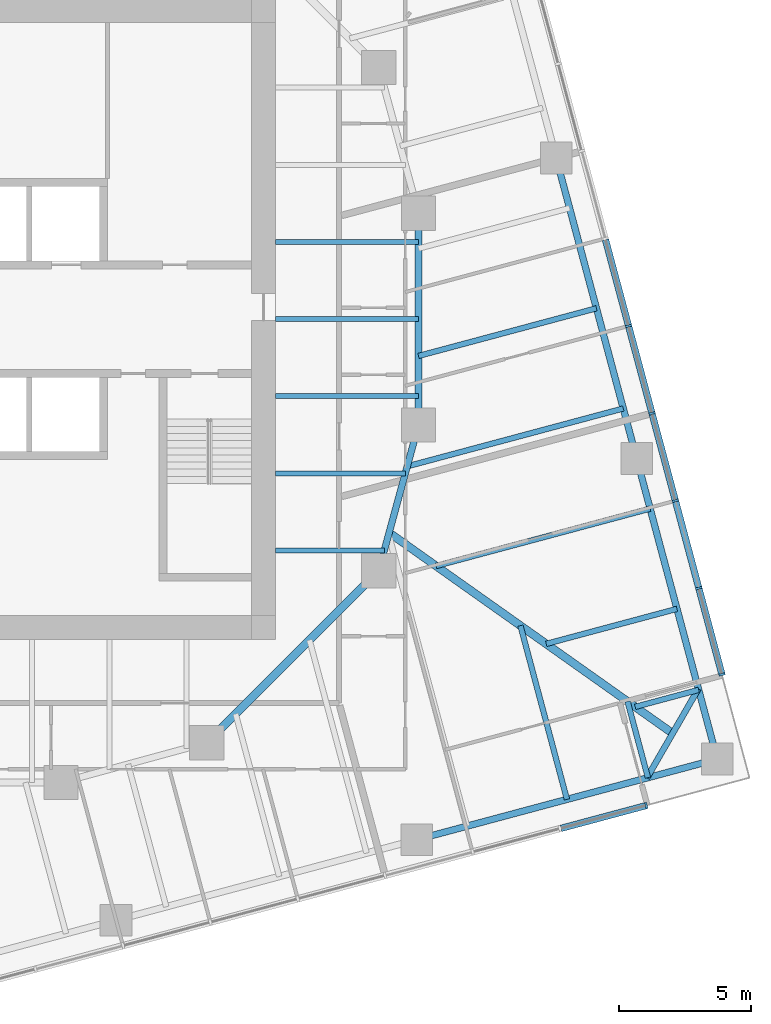
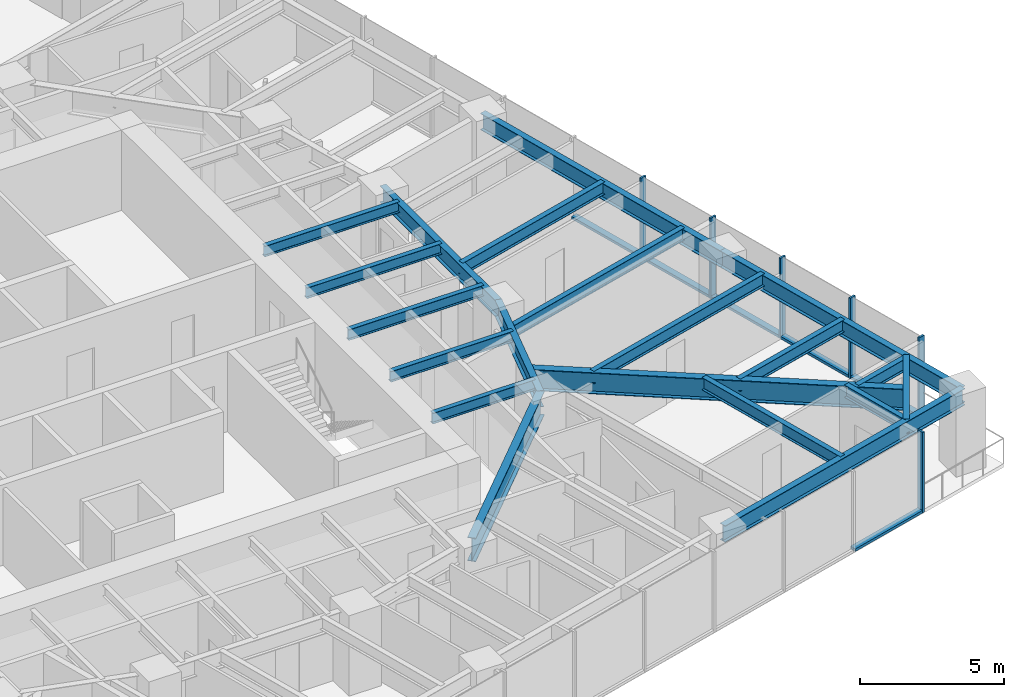
# One storey, part 4 of 13: 20 beams, 12 members, 2 elements without a shape of their own.
"""IFC4 building model written with IfcOpenShell, lengths in metres."""

from ifc_helpers import new_model, si_unit, direction, frame, origin, origin_2d, place, context, subcontext, project, spatial, rectangle, i_section, extrude, material, material_profile, profile_set, type_object, element, aggregate, save


model = new_model("IFC4")

# Units and contexts
model_context = context("Model", 3, precision=1e-05, world=origin(), true_north=direction((0.0, 1.0)))
body_context = subcontext(model_context, "Body", "Model", "MODEL_VIEW")
ifc_project = project(units=[si_unit("LENGTHUNIT", "METRE"), si_unit("AREAUNIT", "SQUARE_METRE"), si_unit("VOLUMEUNIT", "CUBIC_METRE"), si_unit("PLANEANGLEUNIT", "RADIAN"), si_unit("MASSUNIT", "GRAM", prefix="KILO")], contexts=[model_context])

# Site, building, storey
site_placement = place(None, origin())
site = spatial("IfcSite", under=ifc_project, at=site_placement, CompositionType="ELEMENT")
building_placement = place(site_placement, origin())
building = spatial("IfcBuilding", under=site, at=building_placement, Name="Torsade Residences", CompositionType="ELEMENT")
storey_placement = place(building_placement, frame((0.0, 0.0, 118.39990234375)))
storey = spatial("IfcBuildingStorey", under=building, at=storey_placement, Name="L32", CompositionType="ELEMENT", Elevation=118.39990234375)

# Beams
ifc_material_1 = material(Name="Steel grade 300", Category="steel")
ifc_material_profile_1 = material_profile(ifc_material_1, i_section(OverallWidth=0.300048828125, OverallDepth=0.89990234375, WebThickness=0.011962890625, FlangeThickness=0.02490234375, at=origin_2d()), Name="900WB175")
ifc_profile_set_1 = profile_set([ifc_material_profile_1], Name="Steel grade 300")
beam_type_1 = type_object("IfcBeamType", Name="CORNER GIRDER 900WB175", PredefinedType="BEAM", material=ifc_profile_set_1)
beam_1_placement = place(storey_placement, frame((67.097412109375, 14.355224609375, 2.800048828125), z_axis=(-0.816261084801, 0.577683167004, 0.0), x_axis=(-0.577683167004, -0.816261084801, 0.0)))
element("IfcBeam", 1, at=beam_1_placement, inside=storey, type_object=beam_type_1, Name="Corner girder 05 L33", PredefinedType="BEAM", context=body_context, shape_type="SweptSolid", body=[
    extrude(i_section(OverallWidth=0.300048828125, OverallDepth=0.89990234375, WebThickness=0.011962890625, FlangeThickness=0.02490234375, at=origin_2d()), origin(), (0.0, 0.0, 1.0), 13.116943359375),
])
ifc_material_2 = material(Name="Steel grade 300", Category="steel")
ifc_material_profile_2 = material_profile(ifc_material_2, i_section(OverallWidth=0.22802734375, OverallDepth=0.60205078125, WebThickness=0.010498046875, FlangeThickness=0.014892578125, FilletRadius=0.013916015625, at=origin_2d()), Name="610UB101")
ifc_profile_set_2 = profile_set([ifc_material_profile_2], Name="Steel grade 300")
beam_type_2 = type_object("IfcBeamType", Name="CORNER TRIMMER 610UB101", PredefinedType="BEAM", material=ifc_profile_set_2)
beam_2_placement = place(storey_placement, frame((68.06982421875, 16.039306640625, 2.94921875), z_axis=(-0.499994147244, -0.866028782848, 0.0), x_axis=(0.866028782848, -0.499994147244, 0.0)))
element("IfcBeam", 2, at=beam_2_placement, inside=storey, type_object=beam_type_2, Name="Corner trimmer 05 L33", PredefinedType="BEAM", context=body_context, shape_type="SweptSolid", body=[
    extrude(i_section(OverallWidth=0.22802734375, OverallDepth=0.60205078125, WebThickness=0.010498046875, FlangeThickness=0.014892578125, FilletRadius=0.013916015625, at=origin_2d()), origin(), (0.0, 0.0, 1.0), 3.88916015625),
])
ifc_material_3 = material(Name="Steel grade 300", Category="steel")
ifc_material_profile_3 = material_profile(ifc_material_3, i_section(OverallWidth=0.25, OverallDepth=0.699951171875, WebThickness=0.010009765625, FlangeThickness=0.02001953125, at=origin_2d()), Name="700WB130")
ifc_profile_set_3 = profile_set([ifc_material_profile_3], Name="Steel grade 300")
beam_type_3 = type_object("IfcBeamType", Name="EDGE BEAM 700WB130", PredefinedType="SPANDREL", material=ifc_profile_set_3)
for number, where, z_axis, x_axis, name in (
    (3, (57.431884765625, 10.341796875, 2.900146484375), (0.965922824118, 0.258830249097, 0.0), (-0.258830249097, 0.965922824118, 0.0), "Edge beam 04 L33"),
    (4, (68.781494140625, 13.383056640625, 2.900146484375), (-0.258810863021, 0.965928018634, 0.0), (-0.965928018634, -0.258810863021, 0.0), "Edge beam 05 L33"),
    (5, (65.740478515625, 24.732666015625, 2.900146484375), (-0.258830249097, 0.965922824118, 0.0), (-0.965922824118, -0.258830249097, 0.0), "Edge beam 06 L33"),
):
    element("IfcBeam", number, at=place(storey_placement, frame(where, z_axis=z_axis, x_axis=x_axis)), inside=storey, type_object=beam_type_3, Name=name, PredefinedType="SPANDREL", context=body_context, shape_type="SweptSolid", body=[
        extrude(i_section(OverallWidth=0.25, OverallDepth=0.699951171875, WebThickness=0.010009765625, FlangeThickness=0.02001953125, at=origin_2d()), origin(), (0.0, 0.0, 1.0), 11.75),
    ])
ifc_material_4 = material(Name="Steel grade 300", Category="steel")
ifc_material_profile_4 = material_profile(ifc_material_4, i_section(OverallWidth=0.18994140625, OverallDepth=0.4541015625, WebThickness=0.008544921875, FlangeThickness=0.0126953125, FilletRadius=0.011474609375, at=origin_2d()), Name="460UB67.1")
ifc_profile_set_4 = profile_set([ifc_material_profile_4], Name="Steel grade 300")
beam_type_4 = type_object("IfcBeamType", Name="INNER FLOOR BEAM 460UB67.1", PredefinedType="JOIST", material=ifc_profile_set_4)
beam_3_placement = place(storey_placement, frame((52.10009765625, 21.262451171875, 3.023193359375), z_axis=(1.0, 0.0, 0.0), x_axis=(0.0, 1.0, 0.0)))
element("IfcBeam", 6, at=beam_3_placement, inside=storey, type_object=beam_type_4, Name="Inner floor beam IE01 L33", PredefinedType="JOIST", context=body_context, shape_type="SweptSolid", body=[
    extrude(i_section(OverallWidth=0.18994140625, OverallDepth=0.4541015625, WebThickness=0.008544921875, FlangeThickness=0.0126953125, FilletRadius=0.011474609375, at=origin_2d()), origin(), (0.0, 0.0, 1.0), 4.10791015625),
])
beam_4_placement = place(storey_placement, frame((52.10009765625, 24.175048828125, 3.023193359375), z_axis=(1.0, 0.0, 0.0), x_axis=(0.0, 1.0, 0.0)))
element("IfcBeam", 7, at=beam_4_placement, inside=storey, type_object=beam_type_4, Name="Inner floor beam IE02 L33", PredefinedType="JOIST", context=body_context, shape_type="SweptSolid", body=[
    extrude(i_section(OverallWidth=0.18994140625, OverallDepth=0.4541015625, WebThickness=0.008544921875, FlangeThickness=0.0126953125, FilletRadius=0.011474609375, at=origin_2d()), origin(), (0.0, 0.0, 1.0), 4.902099609375),
])
for number, where, z_axis, x_axis, name in (
    (8, (52.10009765625, 27.08740234375, 3.023193359375), (1.0, 0.0, 0.0), (0.0, 1.0, 0.0), "Inner floor beam IE03 L33"),
    (9, (52.10009765625, 30.0, 3.023193359375), (1.0, 0.0, 0.0), (0.0, 1.0, 0.0), "Inner floor beam IE04 L33"),
    (10, (52.10009765625, 32.91259765625, 3.023193359375), (1.0, 0.0, 0.0), (0.0, 1.0, 0.0), "Inner floor beam IE05 L33"),
):
    element("IfcBeam", number, at=place(storey_placement, frame(where, z_axis=z_axis, x_axis=x_axis)), inside=storey, type_object=beam_type_4, Name=name, PredefinedType="JOIST", context=body_context, shape_type="SweptSolid", body=[
        extrude(i_section(OverallWidth=0.18994140625, OverallDepth=0.4541015625, WebThickness=0.008544921875, FlangeThickness=0.0126953125, FilletRadius=0.011474609375, at=origin_2d()), origin(), (0.0, 0.0, 1.0), 5.39990234375),
    ])

# Curtain wall, member
ifc_material_5 = material(Name="Aluminium and glass", Category="aluminium")
curtain_wall_type = type_object("IfcCurtainWallType", Name="FRITTED GLASS CURTAIN WALL MID ZONE", PredefinedType="NOTDEFINED", material=ifc_material_5)
curtain_wall_1_placement = place(storey_placement, origin())
curtain_wall_1 = element("IfcCurtainWall", 11, at=curtain_wall_1_placement, inside=storey, type_object=curtain_wall_type, Name="Curtain wall L32 face 1", PredefinedType="NOTDEFINED")
ifc_material_6 = material(Name="Aluminium mullion", Category="aluminium")
ifc_material_profile_5 = material_profile(ifc_material_6, rectangle(XDim=0.25, YDim=0.080078125, at=origin_2d()), Name="MID ZONE CURTAIN WALL MULLION 250x80")
ifc_profile_set_5 = profile_set([ifc_material_profile_5], Name="Aluminium mullion")
member_type_1 = type_object("IfcMemberType", Name="MID ZONE CURTAIN WALL MULLION 250x80", PredefinedType="MULLION", material=ifc_profile_set_5)
member_1_placement = place(storey_placement, frame((66.10400390625, 11.63037109375, 0.0), z_axis=(0.0, 0.0, 1.0), x_axis=(-0.258819047783, 0.965925825571, 0.0)))
member_1 = element("IfcMember", 12, at=member_1_placement, type_object=member_type_1, Name="Mullion 13", PredefinedType="MULLION", context=body_context, shape_type="SweptSolid", body=[
    extrude(rectangle(XDim=0.25, YDim=0.080078125, at=origin_2d()), origin(), (0.0, 0.0, 1.0), 3.400146484375),
])

# Curtain wall, members
curtain_wall_2_placement = place(storey_placement, origin())
curtain_wall_2 = element("IfcCurtainWall", 13, at=curtain_wall_2_placement, inside=storey, type_object=curtain_wall_type, Name="Curtain wall L32 face 4", PredefinedType="NOTDEFINED")
member_2_placement = place(storey_placement, frame((68.960693359375, 16.578125, 0.0), z_axis=(0.0, 0.0, 1.0), x_axis=(-0.965925825571, -0.258819047783, 0.0)))
member_2 = element("IfcMember", 14, at=member_2_placement, type_object=member_type_1, Name="Mullion 1", PredefinedType="MULLION", context=body_context, shape_type="SweptSolid", body=[
    extrude(rectangle(XDim=0.25, YDim=0.080078125, at=origin_2d()), origin(), (0.0, 0.0, 1.0), 3.400146484375),
])
member_3_placement = place(storey_placement, frame((68.086669921875, 19.83984375, 0.0), z_axis=(0.0, 0.0, 1.0), x_axis=(-0.965925825571, -0.258819047783, 0.0)))
member_3 = element("IfcMember", 15, at=member_3_placement, type_object=member_type_1, Name="Mullion 2", PredefinedType="MULLION", context=body_context, shape_type="SweptSolid", body=[
    extrude(rectangle(XDim=0.25, YDim=0.080078125, at=origin_2d()), origin(), (0.0, 0.0, 1.0), 3.400146484375),
])
member_4_placement = place(storey_placement, frame((67.202392578125, 23.14013671875, 0.0), z_axis=(0.0, 0.0, 1.0), x_axis=(-0.965925825571, -0.258819047783, 0.0)))
member_4 = element("IfcMember", 16, at=member_4_placement, type_object=member_type_1, Name="Mullion 3", PredefinedType="MULLION", context=body_context, shape_type="SweptSolid", body=[
    extrude(rectangle(XDim=0.25, YDim=0.080078125, at=origin_2d()), origin(), (0.0, 0.0, 1.0), 3.400146484375),
])
member_5_placement = place(storey_placement, frame((66.318115234375, 26.4404296875, 0.0), z_axis=(0.0, 0.0, 1.0), x_axis=(-0.965925825571, -0.258819047783, 0.0)))
member_5 = element("IfcMember", 17, at=member_5_placement, type_object=member_type_1, Name="Mullion 4", PredefinedType="MULLION", context=body_context, shape_type="SweptSolid", body=[
    extrude(rectangle(XDim=0.25, YDim=0.080078125, at=origin_2d()), origin(), (0.0, 0.0, 1.0), 3.400146484375),
])
member_6_placement = place(storey_placement, frame((65.433837890625, 29.740478515625, 0.0), z_axis=(0.0, 0.0, 1.0), x_axis=(-0.965925825571, -0.258819047783, 0.0)))
member_6 = element("IfcMember", 18, at=member_6_placement, type_object=member_type_1, Name="Mullion 5", PredefinedType="MULLION", context=body_context, shape_type="SweptSolid", body=[
    extrude(rectangle(XDim=0.25, YDim=0.080078125, at=origin_2d()), origin(), (0.0, 0.0, 1.0), 3.400146484375),
])

# Member
ifc_material_7 = material(Name="Aluminium transom", Category="aluminium")
ifc_material_profile_6 = material_profile(ifc_material_7, rectangle(XDim=0.25, YDim=0.110107421875, at=origin_2d()), Name="MID ZONE CURTAIN WALL TRANSOM 250x110")
ifc_profile_set_6 = profile_set([ifc_material_profile_6], Name="Aluminium transom")
member_type_2 = type_object("IfcMemberType", Name="MID ZONE CURTAIN WALL TRANSOM 250x110", PredefinedType="USERDEFINED", material=ifc_profile_set_6)
member_7_placement = place(storey_placement, frame((62.880859375, 10.7666015625, 0.05517578125), z_axis=(0.965923258633, 0.258828627534, 0.0), x_axis=(-0.258828627534, 0.965923258633, 0.0)))
member_7 = element("IfcMember", 19, at=member_7_placement, type_object=member_type_2, Name="Transom 12.1", ObjectType="TRANSOM", PredefinedType="USERDEFINED", context=body_context, shape_type="SweptSolid", body=[
    extrude(rectangle(XDim=0.25, YDim=0.110107421875, at=origin_2d()), origin(), (0.0, 0.0, 1.0), 3.296630859375),
])

aggregate(curtain_wall_1, [member_1, member_7])

member_8_placement = place(storey_placement, frame((68.9501953125, 16.616943359375, 0.05517578125), z_axis=(-0.258828627534, 0.965923258633, 0.0), x_axis=(-0.965923258633, -0.258828627534, 0.0)))
member_8 = element("IfcMember", 20, at=member_8_placement, type_object=member_type_2, Name="Transom 1.1", ObjectType="TRANSOM", PredefinedType="USERDEFINED", context=body_context, shape_type="SweptSolid", body=[
    extrude(rectangle(XDim=0.25, YDim=0.110107421875, at=origin_2d()), origin(), (0.0, 0.0, 1.0), 3.296630859375),
])

member_9_placement = place(storey_placement, frame((68.076416015625, 19.87841796875, 0.05517578125), z_axis=(-0.258855549498, 0.965916044226, 0.0), x_axis=(-0.965916044226, -0.258855549498, 0.0)))
member_9 = element("IfcMember", 21, at=member_9_placement, type_object=member_type_2, Name="Transom 2.1", ObjectType="TRANSOM", PredefinedType="USERDEFINED", context=body_context, shape_type="SweptSolid", body=[
    extrude(rectangle(XDim=0.25, YDim=0.110107421875, at=origin_2d()), origin(), (0.0, 0.0, 1.0), 3.3369140625),
])

member_10_placement = place(storey_placement, frame((67.192138671875, 23.1787109375, 0.05517578125), z_axis=(-0.258873844232, 0.96591114124, 0.0), x_axis=(-0.96591114124, -0.258873844232, 0.0)))
member_10 = element("IfcMember", 22, at=member_10_placement, type_object=member_type_2, Name="Transom 3.1", ObjectType="TRANSOM", PredefinedType="USERDEFINED", context=body_context, shape_type="SweptSolid", body=[
    extrude(rectangle(XDim=0.25, YDim=0.110107421875, at=origin_2d()), origin(), (0.0, 0.0, 1.0), 3.336669921875),
])

member_11_placement = place(storey_placement, frame((66.3076171875, 26.47900390625, 0.05517578125), z_axis=(-0.258805576255, 0.965929435155, 0.0), x_axis=(-0.965929435155, -0.258805576255, 0.0)))
member_11 = element("IfcMember", 23, at=member_11_placement, type_object=member_type_2, Name="Transom 4.1", ObjectType="TRANSOM", PredefinedType="USERDEFINED", context=body_context, shape_type="SweptSolid", body=[
    extrude(rectangle(XDim=0.25, YDim=0.110107421875, at=origin_2d()), origin(), (0.0, 0.0, 1.0), 3.336669921875),
])

member_12_placement = place(storey_placement, frame((65.42333984375, 29.779296875, 0.05517578125), z_axis=(-0.258805576255, 0.965929435155, 0.0), x_axis=(-0.965929435155, -0.258805576255, 0.0)))
member_12 = element("IfcMember", 24, at=member_12_placement, type_object=member_type_2, Name="Transom 5.1", ObjectType="TRANSOM", PredefinedType="USERDEFINED", context=body_context, shape_type="SweptSolid", body=[
    extrude(rectangle(XDim=0.25, YDim=0.110107421875, at=origin_2d()), origin(), (0.0, 0.0, 1.0), 3.336669921875),
])

aggregate(curtain_wall_2, [member_2, member_3, member_4, member_5, member_6, member_8, member_9, member_10, member_11, member_12])

# Beams
ifc_material_8 = material(Name="Steel grade 300", Category="steel")
ifc_material_profile_7 = material_profile(ifc_material_8, i_section(OverallWidth=0.300048828125, OverallDepth=1.0, WebThickness=0.01611328125, FlangeThickness=0.028076171875, at=origin_2d()), Name="1000WB215")
ifc_profile_set_7 = profile_set([ifc_material_profile_7], Name="Steel grade 300")
beam_type_5 = type_object("IfcBeamType", Name="RING CORNER GIRDER 1000WB215", PredefinedType="BEAM", material=ifc_profile_set_7)
beam_5_placement = place(storey_placement, frame((49.5, 14.0, 2.75), z_axis=(0.707106781187, 0.707106781187, 0.0), x_axis=(-0.707106781187, 0.707106781187, 0.0)))
element("IfcBeam", 25, at=beam_5_placement, inside=storey, type_object=beam_type_5, Name="Ring girder IR15 L33", PredefinedType="BEAM", context=body_context, shape_type="SweptSolid", body=[
    extrude(i_section(OverallWidth=0.300048828125, OverallDepth=1.0, WebThickness=0.01611328125, FlangeThickness=0.028076171875, at=origin_2d()), origin(), (0.0, 0.0, 1.0), 9.1923828125),
])
ifc_material_9 = material(Name="Steel grade 300", Category="steel")
ifc_material_profile_8 = material_profile(ifc_material_9, i_section(OverallWidth=0.25, OverallDepth=0.699951171875, WebThickness=0.010009765625, FlangeThickness=0.02001953125, at=origin_2d()), Name="700WB130")
ifc_profile_set_8 = profile_set([ifc_material_profile_8], Name="Steel grade 300")
beam_type_6 = type_object("IfcBeamType", Name="RING GIRDER 700WB130", PredefinedType="BEAM", material=ifc_profile_set_8)
beam_6_placement = place(storey_placement, frame((57.5, 26.0, 2.900146484375), z_axis=(0.0, 1.0, 0.0), x_axis=(-1.0, 0.0, 0.0)))
element("IfcBeam", 26, at=beam_6_placement, inside=storey, type_object=beam_type_6, Name="Ring girder IR01 L33", PredefinedType="BEAM", context=body_context, shape_type="SweptSolid", body=[
    extrude(i_section(OverallWidth=0.25, OverallDepth=0.699951171875, WebThickness=0.010009765625, FlangeThickness=0.02001953125, at=origin_2d()), origin(), (0.0, 0.0, 1.0), 8.0),
])
beam_7_placement = place(storey_placement, frame((56.0, 20.5, 2.900146484375), z_axis=(0.263117405792, 0.964763821238, 0.0), x_axis=(-0.964763821238, 0.263117405792, 0.0)))
element("IfcBeam", 27, at=beam_7_placement, inside=storey, type_object=beam_type_6, Name="Ring girder IR16 L33", PredefinedType="BEAM", context=body_context, shape_type="SweptSolid", body=[
    extrude(i_section(OverallWidth=0.25, OverallDepth=0.699951171875, WebThickness=0.010009765625, FlangeThickness=0.02001953125, at=origin_2d()), origin(), (0.0, 0.0, 1.0), 5.700927734375),
])
ifc_material_10 = material(Name="Steel grade 300", Category="steel")
ifc_material_profile_9 = material_profile(ifc_material_10, i_section(OverallWidth=0.208984375, OverallDepth=0.528076171875, WebThickness=0.009521484375, FlangeThickness=0.01318359375, FilletRadius=0.013916015625, at=origin_2d()), Name="530UB82.0")
ifc_profile_set_9 = profile_set([ifc_material_profile_9], Name="Steel grade 300")
beam_type_7 = type_object("IfcBeamType", Name="SECONDARY BEAM 530UB82.0", PredefinedType="JOIST", material=ifc_profile_set_9)
beam_8_placement = place(storey_placement, frame((63.106689453125, 11.862548828125, 2.986083984375), z_axis=(-0.258814533235, 0.965927035229, 0.0), x_axis=(-0.965927035229, -0.258814533235, 0.0)))
element("IfcBeam", 28, at=beam_8_placement, inside=storey, type_object=beam_type_7, Name="Floor beam FS11 L33", PredefinedType="JOIST", context=body_context, shape_type="SweptSolid", body=[
    extrude(i_section(OverallWidth=0.208984375, OverallDepth=0.528076171875, WebThickness=0.009521484375, FlangeThickness=0.01318359375, FilletRadius=0.013916015625, at=origin_2d()), origin(), (0.0, 0.0, 1.0), 6.792724609375),
])
beam_9_placement = place(storey_placement, frame((66.16552734375, 12.68212890625, 2.986083984375), z_axis=(-0.258865750242, 0.965913310475, 0.0), x_axis=(-0.965913310475, -0.258865750242, 0.0)))
element("IfcBeam", 29, at=beam_9_placement, inside=storey, type_object=beam_type_7, Name="Floor beam FS12 L33", PredefinedType="JOIST", context=body_context, shape_type="SweptSolid", body=[
    extrude(i_section(OverallWidth=0.208984375, OverallDepth=0.528076171875, WebThickness=0.009521484375, FlangeThickness=0.01318359375, FilletRadius=0.013916015625, at=origin_2d()), origin(), (0.0, 0.0, 1.0), 2.980224609375),
])
beam_10_placement = place(storey_placement, frame((68.08056640625, 15.9990234375, 2.986083984375), z_axis=(-0.965920834438, -0.258837674225, 0.0), x_axis=(0.258837674225, -0.965920834438, 0.0)))
element("IfcBeam", 30, at=beam_10_placement, inside=storey, type_object=beam_type_7, Name="Floor beam FE01 L33", PredefinedType="JOIST", context=body_context, shape_type="SweptSolid", body=[
    extrude(i_section(OverallWidth=0.208984375, OverallDepth=0.528076171875, WebThickness=0.009521484375, FlangeThickness=0.01318359375, FilletRadius=0.013916015625, at=origin_2d()), origin(), (0.0, 0.0, 1.0), 2.482666015625),
])
beam_11_placement = place(storey_placement, frame((67.260986328125, 19.057861328125, 2.986083984375), z_axis=(-0.965926736728, -0.258815647274, 0.0), x_axis=(0.258815647274, -0.965926736728, 0.0)))
element("IfcBeam", 31, at=beam_11_placement, inside=storey, type_object=beam_type_7, Name="Floor beam FE02 L33", PredefinedType="JOIST", context=body_context, shape_type="SweptSolid", body=[
    extrude(i_section(OverallWidth=0.208984375, OverallDepth=0.528076171875, WebThickness=0.009521484375, FlangeThickness=0.01318359375, FilletRadius=0.013916015625, at=origin_2d()), origin(), (0.0, 0.0, 1.0), 5.11279296875),
])
beam_12_placement = place(storey_placement, frame((66.247314453125, 22.841064453125, 2.986083984375), z_axis=(-0.965924734258, -0.258823120582, 0.0), x_axis=(0.258823120582, -0.965924734258, 0.0)))
element("IfcBeam", 32, at=beam_12_placement, inside=storey, type_object=beam_type_7, Name="Floor beam FE03 L33", PredefinedType="JOIST", context=body_context, shape_type="SweptSolid", body=[
    extrude(i_section(OverallWidth=0.208984375, OverallDepth=0.528076171875, WebThickness=0.009521484375, FlangeThickness=0.01318359375, FilletRadius=0.013916015625, at=origin_2d()), origin(), (0.0, 0.0, 1.0), 8.365966796875),
])
beam_13_placement = place(storey_placement, frame((65.233642578125, 26.624267578125, 2.986083984375), z_axis=(-0.965928701223, -0.258808315464, 0.0), x_axis=(0.258808315464, -0.965928701223, 0.0)))
element("IfcBeam", 33, at=beam_13_placement, inside=storey, type_object=beam_type_7, Name="Floor beam FE04 L33", PredefinedType="JOIST", context=body_context, shape_type="SweptSolid", body=[
    extrude(i_section(OverallWidth=0.208984375, OverallDepth=0.528076171875, WebThickness=0.009521484375, FlangeThickness=0.01318359375, FilletRadius=0.013916015625, at=origin_2d()), origin(), (0.0, 0.0, 1.0), 8.447509765625),
])
beam_14_placement = place(storey_placement, frame((64.2197265625, 30.407470703125, 2.986083984375), z_axis=(-0.965926120836, -0.258817945835, 0.0), x_axis=(0.258817945835, -0.965926120836, 0.0)))
element("IfcBeam", 34, at=beam_14_placement, inside=storey, type_object=beam_type_7, Name="Floor beam FE05 L33", PredefinedType="JOIST", context=body_context, shape_type="SweptSolid", body=[
    extrude(i_section(OverallWidth=0.208984375, OverallDepth=0.528076171875, WebThickness=0.009521484375, FlangeThickness=0.01318359375, FilletRadius=0.013916015625, at=origin_2d()), origin(), (0.0, 0.0, 1.0), 6.956787109375),
])

save(model, "model.ifc")
